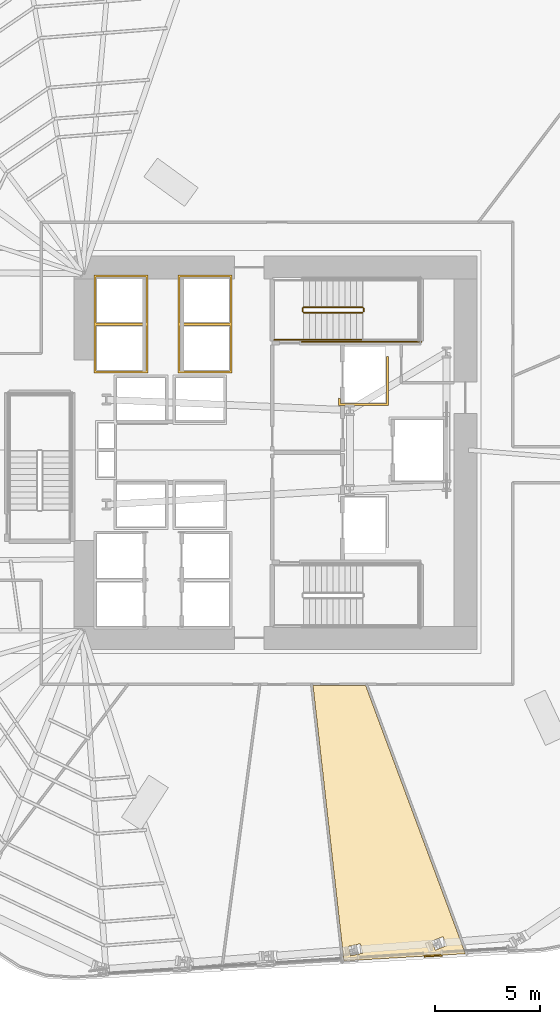
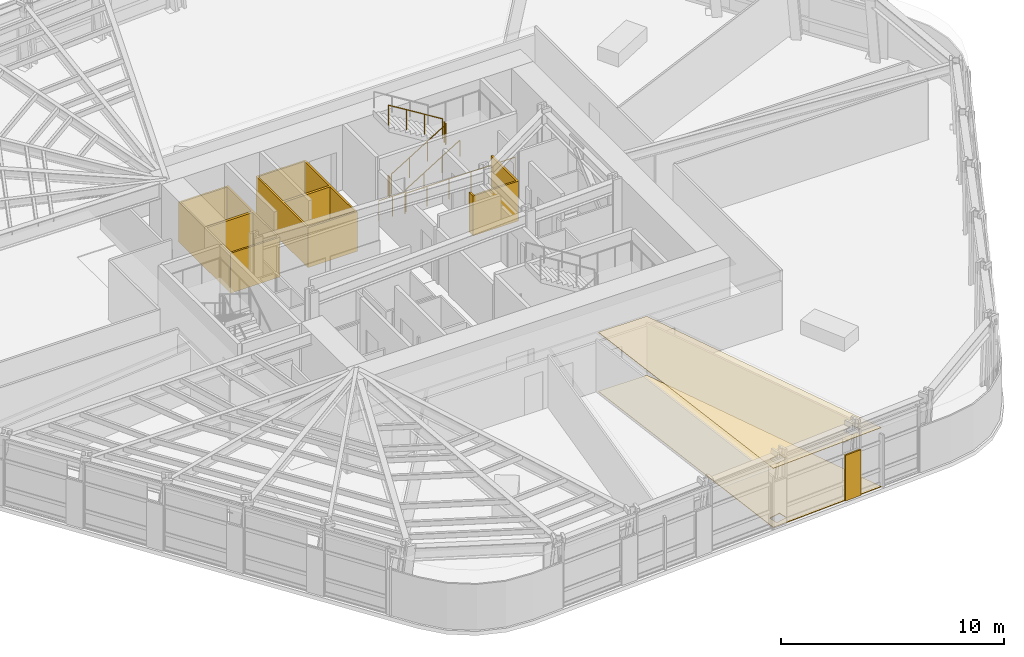
# One storey, part 12 of 15: 7 railings, 6 coverings.
"""IFC4 building model written with IfcOpenShell, lengths in metres."""

from ifc_helpers import new_model, si_unit, direction, frame, origin, origin_2d, place, context, subcontext, project, spatial, polyline, circle, outline, extrude, material, layer, layer_set, type_object, element, save


model = new_model("IFC4")

# Units and contexts
model_context = context("Model", 3, precision=1e-05, world=origin(), true_north=direction((0.0, 1.0)))
body_context = subcontext(model_context, "Body", "Model", "MODEL_VIEW")
ifc_project = project(units=[si_unit("LENGTHUNIT", "METRE"), si_unit("AREAUNIT", "SQUARE_METRE"), si_unit("VOLUMEUNIT", "CUBIC_METRE"), si_unit("PLANEANGLEUNIT", "RADIAN"), si_unit("MASSUNIT", "GRAM", prefix="KILO")], contexts=[model_context])

# Site, building, storey
site_placement = place(None, origin())
site = spatial("IfcSite", under=ifc_project, at=site_placement, CompositionType="ELEMENT")
building_placement = place(site_placement, origin())
building = spatial("IfcBuilding", under=site, at=building_placement, Name="Valkerne Bourse Tower", CompositionType="ELEMENT")
storey_placement = place(building_placement, frame((0.0, 0.0, 39.199951171875)))
storey = spatial("IfcBuildingStorey", under=building, at=storey_placement, Name="L09", CompositionType="ELEMENT", Elevation=39.199951171875)

# Coverings
ifc_material_1 = material(Name="Mineral Fiber Acoustic Ceiling Tile", Category="acoustic")
ifc_layer_1 = layer(ifc_material_1, 0.02490234375)
ifc_layer_set_1 = layer_set([ifc_layer_1], Name="Mineral Fiber Acoustic Ceiling Tile")
covering_type_1 = type_object("IfcCoveringType", Name="COV-CEIL-ACT", PredefinedType="CEILING", material=ifc_layer_set_1)
covering_1_placement = place(storey_placement, frame((0.0, 0.0, 3.22998046875)))
element("IfcCovering", 1, at=covering_1_placement, inside=storey, type_object=covering_type_1, Name="L09 Suspended Ceiling 04", PredefinedType="CEILING", context=body_context, shape_type="SweptSolid", body=[
    extrude(outline(polyline([(51.100341796875, 15.781005859375), (55.8525390625, 3.00244140625), (50.066162109375, 2.659423828125), (48.594482421875, 15.781005859375), (51.100341796875, 15.781005859375)]), holes=[polyline([(50.39404296875, 2.90283203125), (50.954833984375, 3.026123046875), (50.855712890625, 3.47802734375), (50.85205078125, 3.4775390625), (50.29150390625, 3.354248046875), (50.390625, 2.90234375), (50.39404296875, 2.90283203125)]), polyline([(54.961181640625, 3.38623046875), (54.79052734375, 3.81640625), (54.787109375, 3.815185546875), (54.253662109375, 3.603271484375), (54.42431640625, 3.173095703125), (54.427734375, 3.17431640625), (54.961181640625, 3.38623046875)])]), origin(), (0.0, 0.0, 1.0), 0.025146484375),
])
ifc_material_2 = material(Name="Bronze Anodised Aluminium AA 6063-T6", Category="aluminium")
ifc_layer_2 = layer(ifc_material_2, 0.06005859375)
ifc_layer_set_2 = layer_set([ifc_layer_2], Name="Bronze Anodised Aluminium AA 6063-T6")
covering_type_2 = type_object("IfcCoveringType", Name="COV-CRN-ALUM", PredefinedType="CLADDING", material=ifc_layer_set_2)
covering_2_placement = place(storey_placement, origin())
element("IfcCovering", 2, at=covering_2_placement, inside=storey, type_object=covering_type_2, Name="L09 Wind-Shaped Corner Aluminium Cladding 02", PredefinedType="CLADDING", context=body_context, shape_type="SweptSolid", body=[
    extrude(outline(polyline([(53.90478515625, 2.843017578125), (53.89990234375, 2.9228515625), (54.73828125, 2.972412109375), (54.743408203125, 2.892578125), (53.90478515625, 2.843017578125)])), origin(), (0.0, 0.0, 1.0), 2.5),
])
ifc_material_3 = material(Name="Polished Granite Stone", Category="masonry")
ifc_layer_3 = layer(ifc_material_3, 0.030029296875)
ifc_layer_set_3 = layer_set([ifc_layer_3], Name="Polished Granite Stone")
covering_type_3 = type_object("IfcCoveringType", Name="COV-FLR-TERRAZZO", PredefinedType="FLOORING", material=ifc_layer_set_3)
covering_3_placement = place(storey_placement, origin())
element("IfcCovering", 3, at=covering_3_placement, inside=storey, type_object=covering_type_3, Name="L09 Floor Finish 04", PredefinedType="FLOORING", context=body_context, shape_type="SweptSolid", body=[
    extrude(outline(polyline([(51.100341796875, 15.781005859375), (55.8525390625, 3.00244140625), (50.066162109375, 2.659423828125), (48.594482421875, 15.781005859375), (51.100341796875, 15.781005859375)]), holes=[polyline([(50.39404296875, 2.90283203125), (50.954833984375, 3.026123046875), (50.855712890625, 3.47802734375), (50.85205078125, 3.4775390625), (50.29150390625, 3.354248046875), (50.390625, 2.90234375), (50.39404296875, 2.90283203125)]), polyline([(54.961181640625, 3.38623046875), (54.79052734375, 3.81640625), (54.787109375, 3.815185546875), (54.253662109375, 3.603271484375), (54.42431640625, 3.173095703125), (54.427734375, 3.17431640625), (54.961181640625, 3.38623046875)])]), origin(), (0.0, 0.0, 1.0), 0.030029296875),
])
ifc_material_4 = material(Name="Gypsum Shaftwall Liner Board", Category="gypsum")
ifc_layer_4 = layer(ifc_material_4, 0.080078125)
ifc_layer_set_4 = layer_set([ifc_layer_4], Name="Gypsum Shaftwall Liner Board")
covering_type_4 = type_object("IfcCoveringType", Name="COV-SHF-CLAD", PredefinedType="CLADDING", material=ifc_layer_set_4)
covering_4_placement = place(storey_placement, origin())
element("IfcCovering", 4, at=covering_4_placement, inside=storey, type_object=covering_type_4, Name="L09 Hoistway & Riser Shaftwall Liner 05", PredefinedType="CLADDING", context=body_context, shape_type="SweptSolid", body=[
    extrude(outline(polyline([(38.169921875, 35.330078125), (40.72998046875, 35.330078125), (40.72998046875, 33.030029296875), (40.72998046875, 32.969970703125), (40.72998046875, 30.669921875), (38.169921875, 30.669921875), (38.169921875, 32.969970703125), (38.169921875, 33.030029296875), (38.169921875, 35.330078125)]), holes=[polyline([(38.260009765625, 32.93994140625), (38.260009765625, 30.760009765625), (40.639892578125, 30.760009765625), (40.639892578125, 32.93994140625), (38.260009765625, 32.93994140625)]), polyline([(38.260009765625, 35.239990234375), (38.260009765625, 33.06005859375), (40.639892578125, 33.06005859375), (40.639892578125, 35.239990234375), (38.260009765625, 35.239990234375)])]), origin(), (0.0, 0.0, 1.0), 2.179931640625),
])
covering_5_placement = place(storey_placement, origin())
element("IfcCovering", 5, at=covering_5_placement, inside=storey, type_object=covering_type_4, Name="L09 Hoistway & Riser Shaftwall Liner 10", PredefinedType="CLADDING", context=body_context, shape_type="SweptSolid", body=[
    extrude(outline(polyline([(49.820068359375, 29.1201171875), (49.820068359375, 29.468017578125), (49.827880859375, 29.46435546875), (49.869384765625, 29.449462890625), (49.909912109375, 29.439208984375), (49.909912109375, 29.2099609375), (52.090087890625, 29.2099609375), (52.090087890625, 31.449951171875), (52.179931640625, 31.449951171875), (52.179931640625, 29.1201171875), (49.820068359375, 29.1201171875)])), origin(), (0.0, 0.0, 1.0), 2.179931640625),
])
covering_6_placement = place(storey_placement, origin())
element("IfcCovering", 6, at=covering_6_placement, inside=storey, type_object=covering_type_4, Name="L09 Hoistway & Riser Shaftwall Liner 11", PredefinedType="CLADDING", context=body_context, shape_type="SweptSolid", body=[
    extrude(outline(polyline([(44.72998046875, 35.330078125), (44.72998046875, 33.030029296875), (44.72998046875, 32.969970703125), (44.72998046875, 30.669921875), (42.169921875, 30.669921875), (42.169921875, 32.969970703125), (42.169921875, 33.030029296875), (42.169921875, 35.330078125), (44.72998046875, 35.330078125)]), holes=[polyline([(42.260009765625, 30.760009765625), (44.639892578125, 30.760009765625), (44.639892578125, 32.93994140625), (42.260009765625, 32.93994140625), (42.260009765625, 30.760009765625)]), polyline([(42.260009765625, 33.06005859375), (44.639892578125, 33.06005859375), (44.639892578125, 35.239990234375), (42.260009765625, 35.239990234375), (42.260009765625, 33.06005859375)])]), origin(), (0.0, 0.0, 1.0), 2.179931640625),
])

# Railings
ifc_material_5 = material(Name="Galvanised Painted Steel", Category="steel")
railing_type_1 = type_object("IfcRailingType", Name="RLG-ST-GUARD-1120", PredefinedType="GUARDRAIL", material=ifc_material_5)
railing_1_placement = place(storey_placement, frame((48.14990234375, 33.550048828125, 0.1728515625)))
element("IfcRailing", 7, at=railing_1_placement, inside=storey, type_object=railing_type_1, Name="L09 ST-2 stair guard 1", PredefinedType="GUARDRAIL", context=body_context, shape_type="SweptSolid", body=[
    extrude(circle(Radius=0.02392578125, at=origin_2d()), frame((0.0, 0.0, 1.09619140625), z_axis=(0.851089632645, 0.0, 0.525020415988), x_axis=(0.0, 1.0, 0.0)), (0.0, 0.0, 1.0), 3.2900390625),
    extrude(circle(Radius=0.02099609375, at=origin_2d()), origin(), (0.0, 0.0, 1.0), 1.072021484375),
    extrude(circle(Radius=0.02099609375, at=origin_2d()), frame((0.933349609375, 0.0, 0.57568359375)), (0.0, 0.0, 1.0), 1.072021484375),
    extrude(circle(Radius=0.02099609375, at=origin_2d()), frame((1.86669921875, 0.0, 1.151611328125)), (0.0, 0.0, 1.0), 1.072021484375),
    extrude(circle(Radius=0.02099609375, at=origin_2d()), frame((2.800048828125, 0.0, 1.727294921875)), (0.0, 0.0, 1.0), 1.072021484375),
])
railing_2_placement = place(storey_placement, frame((51.0, 33.60009765625, 1.900146484375)))
element("IfcRailing", 8, at=railing_2_placement, inside=storey, type_object=railing_type_1, Name="L09 ST-2 stair guard 2", PredefinedType="GUARDRAIL", context=body_context, shape_type="SweptSolid", body=[
    extrude(circle(Radius=0.02392578125, at=origin_2d()), frame((0.0, 0.0, 1.09619140625), z_axis=(0.0, 1.0, 0.0), x_axis=(-1.0, 0.0, 0.0)), (0.0, 0.0, 1.0), 0.14990234375),
    extrude(circle(Radius=0.02099609375, at=origin_2d()), origin(), (0.0, 0.0, 1.0), 1.072021484375),
    extrude(circle(Radius=0.02099609375, at=origin_2d()), frame((0.0, 0.14990234375, 0.0)), (0.0, 0.0, 1.0), 1.072021484375),
])
railing_3_placement = place(storey_placement, frame((50.949951171875, 33.800048828125, 2.07275390625)))
element("IfcRailing", 9, at=railing_3_placement, inside=storey, type_object=railing_type_1, Name="L09 ST-2 stair guard 6", PredefinedType="GUARDRAIL", context=body_context, shape_type="SweptSolid", body=[
    extrude(circle(Radius=0.02392578125, at=origin_2d()), frame((0.0, 0.0, 1.09619140625), z_axis=(-0.851089632645, 0.0, 0.525020415988), x_axis=(0.0, -1.0, 0.0)), (0.0, 0.0, 1.0), 3.2900390625),
    extrude(circle(Radius=0.02099609375, at=origin_2d()), origin(), (0.0, 0.0, 1.0), 1.072021484375),
    extrude(circle(Radius=0.02099609375, at=origin_2d()), frame((-0.933349609375, 0.0, 0.57568359375)), (0.0, 0.0, 1.0), 1.072021484375),
    extrude(circle(Radius=0.02099609375, at=origin_2d()), frame((-1.86669921875, 0.0, 1.151611328125)), (0.0, 0.0, 1.0), 1.072021484375),
    extrude(circle(Radius=0.02099609375, at=origin_2d()), frame((-2.800048828125, 0.0, 1.727294921875)), (0.0, 0.0, 1.0), 1.072021484375),
])
railing_4_placement = place(storey_placement, frame((48.10009765625, 33.60009765625, 0.0)))
element("IfcRailing", 10, at=railing_4_placement, inside=storey, type_object=railing_type_1, Name="L09 ST-2 stair guard 7", PredefinedType="GUARDRAIL", context=body_context, shape_type="SweptSolid", body=[
    extrude(circle(Radius=0.02392578125, at=origin_2d()), frame((0.0, 0.0, 1.09619140625), z_axis=(0.0, 1.0, 0.0), x_axis=(-1.0, 0.0, 0.0)), (0.0, 0.0, 1.0), 0.14990234375),
    extrude(circle(Radius=0.02099609375, at=origin_2d()), origin(), (0.0, 0.0, 1.0), 1.072021484375),
    extrude(circle(Radius=0.02099609375, at=origin_2d()), frame((0.0, 0.14990234375, 0.0)), (0.0, 0.0, 1.0), 1.072021484375),
])
railing_5_placement = place(storey_placement, frame((46.75, 32.25, 0.0)))
element("IfcRailing", 11, at=railing_5_placement, inside=storey, type_object=railing_type_1, Name="L09 ST-2 stair guard 8", PredefinedType="GUARDRAIL", context=body_context, shape_type="SweptSolid", body=[
    extrude(circle(Radius=0.02392578125, at=origin_2d()), frame((0.0, 0.0, 1.09619140625), z_axis=(1.0, 0.0, 0.0), x_axis=(0.0, 1.0, 0.0)), (0.0, 0.0, 1.0), 1.39990234375),
    extrude(circle(Radius=0.02099609375, at=origin_2d()), origin(), (0.0, 0.0, 1.0), 1.072021484375),
    extrude(circle(Radius=0.02099609375, at=origin_2d()), frame((0.699951171875, 0.0, 0.0)), (0.0, 0.0, 1.0), 1.072021484375),
    extrude(circle(Radius=0.02099609375, at=origin_2d()), frame((1.39990234375, 0.0, 0.0)), (0.0, 0.0, 1.0), 1.072021484375),
])
railing_6_placement = place(storey_placement, frame((48.050048828125, 32.14990234375, 0.0)))
element("IfcRailing", 12, at=railing_6_placement, inside=storey, type_object=railing_type_1, Name="L09 ST-2 stair guard 10", PredefinedType="GUARDRAIL", context=body_context, shape_type="SweptSolid", body=[
    extrude(circle(Radius=0.02392578125, at=origin_2d()), frame((0.0, 0.0, 1.09619140625), z_axis=(1.0, 0.0, 0.0), x_axis=(0.0, 1.0, 0.0)), (0.0, 0.0, 1.0), 5.699951171875),
    extrude(circle(Radius=0.02099609375, at=origin_2d()), origin(), (0.0, 0.0, 1.0), 1.072021484375),
    extrude(circle(Radius=0.02099609375, at=origin_2d()), frame((1.139892578125, 0.0, 0.0)), (0.0, 0.0, 1.0), 1.072021484375),
    extrude(circle(Radius=0.02099609375, at=origin_2d()), frame((2.280029296875, 0.0, 0.0)), (0.0, 0.0, 1.0), 1.072021484375),
    extrude(circle(Radius=0.02099609375, at=origin_2d()), frame((3.419921875, 0.0, 0.0)), (0.0, 0.0, 1.0), 1.072021484375),
    extrude(circle(Radius=0.02099609375, at=origin_2d()), frame((4.56005859375, 0.0, 0.0)), (0.0, 0.0, 1.0), 1.072021484375),
    extrude(circle(Radius=0.02099609375, at=origin_2d()), frame((5.699951171875, 0.0, 0.0)), (0.0, 0.0, 1.0), 1.072021484375),
])
ifc_material_6 = material(Name="Stainless Steel AISI 316", Category="steel")
railing_type_2 = type_object("IfcRailingType", Name="RLG-ST-HANDRAIL-900", PredefinedType="HANDRAIL", material=ifc_material_6)
railing_7_placement = place(storey_placement, frame((48.14990234375, 32.25, 0.345458984375)))
element("IfcRailing", 13, at=railing_7_placement, inside=storey, type_object=railing_type_2, Name="L09 ST-2 stair handrail 1", PredefinedType="HANDRAIL", context=body_context, shape_type="SweptSolid", body=[
    extrude(circle(Radius=0.02392578125, at=origin_2d()), frame((0.0, 0.0, 0.8759765625), z_axis=(0.851089632645, 0.0, 0.525020415988), x_axis=(0.0, 1.0, 0.0)), (0.0, 0.0, 1.0), 3.2900390625),
    extrude(circle(Radius=0.02099609375, at=origin_2d()), origin(), (0.0, 0.0, 1.0), 0.851806640625),
    extrude(circle(Radius=0.02099609375, at=origin_2d()), frame((0.933349609375, 0.0, 0.57568359375)), (0.0, 0.0, 1.0), 0.851806640625),
    extrude(circle(Radius=0.02099609375, at=origin_2d()), frame((1.86669921875, 0.0, 1.151611328125)), (0.0, 0.0, 1.0), 0.851806640625),
    extrude(circle(Radius=0.02099609375, at=origin_2d()), frame((2.800048828125, 0.0, 1.727294921875)), (0.0, 0.0, 1.0), 0.851806640625),
])

save(model, "model.ifc")
